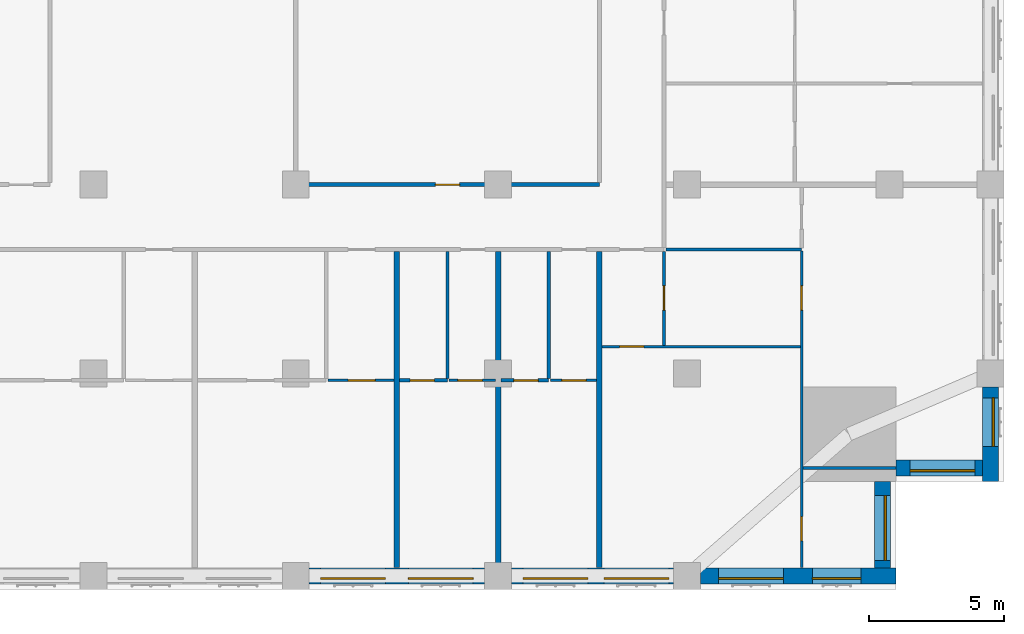
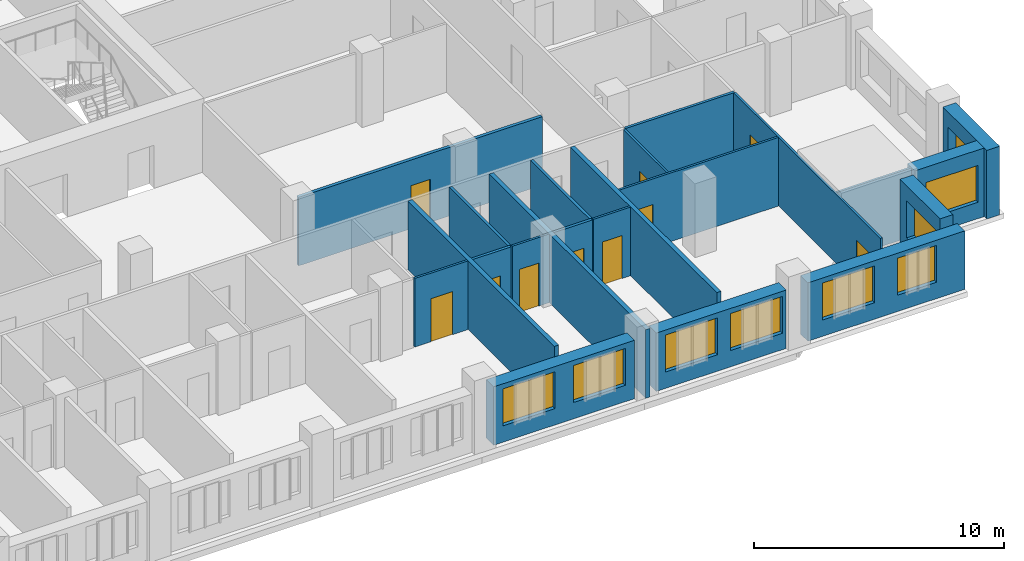
# One storey, part 6 of 14: 22 walls, 10 doors, 9 windows, 19 openings.
"""IFC4 building model written with IfcOpenShell, lengths in metres."""

from ifc_helpers import new_model, si_unit, direction, frame, frame_2d, origin, place, context, subcontext, project, spatial, rectangle, extrude, material, layer, layer_set, type_object, element, fill, save


model = new_model("IFC4")

# Units and contexts
model_context = context("Model", 3, precision=1e-05, world=origin(), true_north=direction((0.0, 1.0)))
body_context = subcontext(model_context, "Body", "Model", "MODEL_VIEW")
ifc_project = project(units=[si_unit("LENGTHUNIT", "METRE"), si_unit("AREAUNIT", "SQUARE_METRE"), si_unit("VOLUMEUNIT", "CUBIC_METRE"), si_unit("PLANEANGLEUNIT", "RADIAN"), si_unit("MASSUNIT", "GRAM", prefix="KILO")], contexts=[model_context])

# Site, building, storey
site_placement = place(None, origin())
site = spatial("IfcSite", under=ifc_project, at=site_placement, CompositionType="ELEMENT")
building_placement = place(site_placement, origin())
building = spatial("IfcBuilding", under=site, at=building_placement, Name="Tamorin Gate", CompositionType="ELEMENT")
storey_placement = place(building_placement, frame((0.0, 0.0, 141.0)))
storey = spatial("IfcBuildingStorey", under=building, at=storey_placement, Name="L34", CompositionType="ELEMENT", Elevation=141.0)

# Wall, openings, windows
ifc_material_1 = material(Name="Precast concrete C40/50", Category="concrete")
ifc_layer_1 = layer(ifc_material_1, 0.60009765625)
ifc_layer_set_1 = layer_set([ifc_layer_1], Name="Precast concrete C40/50")
wall_type_1 = type_object("IfcWallType", Name="Board-marked concrete facade panel 600", PredefinedType="SOLIDWALL", material=ifc_layer_set_1)
wall_1_placement = place(storey_placement, frame((60.5, 38.0, 0.0), z_axis=(0.0, 0.0, 1.0), x_axis=(1.0, 0.0, 0.0)))
wall_1 = element("IfcWall", 1, at=wall_1_placement, inside=storey, type_object=wall_type_1, Name="Facade panel", PredefinedType="SOLIDWALL", context=body_context, shape_type="SweptSolid", body=[
    extrude(rectangle(XDim=6.5, YDim=0.60009765625, at=frame_2d((3.25, 0.0))), origin(), (0.0, 0.0, 1.0), 2.85009765625),
])
opening_1_placement = place(wall_1_placement, frame((0.425048828125, 0.0, 0.800048828125)))
opening_1 = element("IfcOpeningElement", 2, at=opening_1_placement, cuts=wall_1, Name="Opening WN1", PredefinedType="OPENING", context=body_context, shape_type="SweptSolid", body=[
    extrude(rectangle(XDim=2.39990234375, YDim=1.800048828125, at=frame_2d((1.199951171875, 0.89990234375))), frame((0.0, 0.31005859375, 0.0), z_axis=(0.0, -1.0, 0.0), x_axis=(1.0, 0.0, 0.0)), (0.0, 0.0, 1.0), 0.6201171875),
])
opening_2_placement = place(wall_1_placement, frame((3.675048828125, 0.0, 0.800048828125)))
opening_2 = element("IfcOpeningElement", 3, at=opening_2_placement, cuts=wall_1, Name="Opening WN1", PredefinedType="OPENING", context=body_context, shape_type="SweptSolid", body=[
    extrude(rectangle(XDim=2.39990234375, YDim=1.800048828125, at=frame_2d((1.199951171875, 0.89990234375))), frame((0.0, 0.31005859375, 0.0), z_axis=(0.0, -1.0, 0.0), x_axis=(1.0, 0.0, 0.0)), (0.0, 0.0, 1.0), 0.6201171875),
])
ifc_material_2 = material(Name="Clear glass in aluminium frame", Category="aluminium")
window_type_1 = type_object("IfcWindowType", Name="Deep-set window 2400x1800", PartitioningType="SINGLE_PANEL", PredefinedType="WINDOW", material=ifc_material_2)
window_1_placement = place(opening_1_placement, origin())
window_1 = element("IfcWindow", 4, at=window_1_placement, inside=storey, type_object=window_type_1, Name="Deep-set window", OverallHeight=1.800048828125, OverallWidth=2.39990234375, PartitioningType="SINGLE_PANEL", PredefinedType="WINDOW", context=body_context, shape_type="SweptSolid", body=[
    extrude(rectangle(XDim=2.39990234375, YDim=1.800048828125, at=frame_2d((1.199951171875, 0.89990234375))), frame((0.0, -0.070068359375, 0.0), z_axis=(0.0, -1.0, 0.0), x_axis=(1.0, 0.0, 0.0)), (0.0, 0.0, 1.0), 0.06005859375),
])
fill(opening_1, window_1)
window_2_placement = place(opening_2_placement, origin())
window_2 = element("IfcWindow", 5, at=window_2_placement, inside=storey, type_object=window_type_1, Name="Deep-set window", OverallHeight=1.800048828125, OverallWidth=2.39990234375, PartitioningType="SINGLE_PANEL", PredefinedType="WINDOW", context=body_context, shape_type="SweptSolid", body=[
    extrude(rectangle(XDim=2.39990234375, YDim=1.800048828125, at=frame_2d((1.199951171875, 0.89990234375))), frame((0.0, -0.070068359375, 0.0), z_axis=(0.0, -1.0, 0.0), x_axis=(1.0, 0.0, 0.0)), (0.0, 0.0, 1.0), 0.06005859375),
])
fill(opening_2, window_2)

wall_2_placement = place(storey_placement, frame((68.0, 38.0, 0.0), z_axis=(0.0, 0.0, 1.0), x_axis=(1.0, 0.0, 0.0)))
wall_2 = element("IfcWall", 6, at=wall_2_placement, inside=storey, type_object=wall_type_1, Name="Facade panel", PredefinedType="SOLIDWALL", context=body_context, shape_type="SweptSolid", body=[
    extrude(rectangle(XDim=6.0, YDim=0.60009765625, at=frame_2d((3.0, 0.0))), origin(), (0.0, 0.0, 1.0), 2.85009765625),
])
opening_3_placement = place(wall_2_placement, frame((0.425048828125, 0.0, 0.800048828125)))
opening_3 = element("IfcOpeningElement", 7, at=opening_3_placement, cuts=wall_2, Name="Opening WN1", PredefinedType="OPENING", context=body_context, shape_type="SweptSolid", body=[
    extrude(rectangle(XDim=2.39990234375, YDim=1.800048828125, at=frame_2d((1.199951171875, 0.89990234375))), frame((0.0, 0.31005859375, 0.0), z_axis=(0.0, -1.0, 0.0), x_axis=(1.0, 0.0, 0.0)), (0.0, 0.0, 1.0), 0.6201171875),
])
opening_4_placement = place(wall_2_placement, frame((3.425048828125, 0.0, 0.800048828125)))
opening_4 = element("IfcOpeningElement", 8, at=opening_4_placement, cuts=wall_2, Name="Opening WN1", PredefinedType="OPENING", context=body_context, shape_type="SweptSolid", body=[
    extrude(rectangle(XDim=2.39990234375, YDim=1.800048828125, at=frame_2d((1.199951171875, 0.89990234375))), frame((0.0, 0.31005859375, 0.0), z_axis=(0.0, -1.0, 0.0), x_axis=(1.0, 0.0, 0.0)), (0.0, 0.0, 1.0), 0.6201171875),
])
window_3_placement = place(opening_3_placement, origin())
window_3 = element("IfcWindow", 9, at=window_3_placement, inside=storey, type_object=window_type_1, Name="Deep-set window", OverallHeight=1.800048828125, OverallWidth=2.39990234375, PartitioningType="SINGLE_PANEL", PredefinedType="WINDOW", context=body_context, shape_type="SweptSolid", body=[
    extrude(rectangle(XDim=2.39990234375, YDim=1.800048828125, at=frame_2d((1.199951171875, 0.89990234375))), frame((0.0, -0.070068359375, 0.0), z_axis=(0.0, -1.0, 0.0), x_axis=(1.0, 0.0, 0.0)), (0.0, 0.0, 1.0), 0.06005859375),
])
fill(opening_3, window_3)
window_4_placement = place(opening_4_placement, origin())
window_4 = element("IfcWindow", 10, at=window_4_placement, inside=storey, type_object=window_type_1, Name="Deep-set window", OverallHeight=1.800048828125, OverallWidth=2.39990234375, PartitioningType="SINGLE_PANEL", PredefinedType="WINDOW", context=body_context, shape_type="SweptSolid", body=[
    extrude(rectangle(XDim=2.39990234375, YDim=1.800048828125, at=frame_2d((1.199951171875, 0.89990234375))), frame((0.0, -0.070068359375, 0.0), z_axis=(0.0, -1.0, 0.0), x_axis=(1.0, 0.0, 0.0)), (0.0, 0.0, 1.0), 0.06005859375),
])
fill(opening_4, window_4)

wall_3_placement = place(storey_placement, frame((75.0, 38.0, 0.0), z_axis=(0.0, 0.0, 1.0), x_axis=(1.0, 0.0, 0.0)))
wall_3 = element("IfcWall", 11, at=wall_3_placement, inside=storey, type_object=wall_type_1, Name="Facade panel", PredefinedType="SOLIDWALL", context=body_context, shape_type="SweptSolid", body=[
    extrude(rectangle(XDim=7.25, YDim=0.60009765625, at=frame_2d((3.625, 0.0))), origin(), (0.0, 0.0, 1.0), 2.85009765625),
])
opening_5_placement = place(wall_3_placement, frame((0.675048828125, 0.0, 0.800048828125)))
opening_5 = element("IfcOpeningElement", 12, at=opening_5_placement, cuts=wall_3, Name="Opening WN1", PredefinedType="OPENING", context=body_context, shape_type="SweptSolid", body=[
    extrude(rectangle(XDim=2.39990234375, YDim=1.800048828125, at=frame_2d((1.199951171875, 0.89990234375))), frame((0.0, 0.31005859375, 0.0), z_axis=(0.0, -1.0, 0.0), x_axis=(1.0, 0.0, 0.0)), (0.0, 0.0, 1.0), 0.6201171875),
])
opening_6_placement = place(wall_3_placement, frame((4.14990234375, 0.0, 0.800048828125)))
opening_6 = element("IfcOpeningElement", 13, at=opening_6_placement, cuts=wall_3, Name="Opening WN2", PredefinedType="OPENING", context=body_context, shape_type="SweptSolid", body=[
    extrude(rectangle(XDim=1.800048828125, YDim=1.800048828125, at=frame_2d((0.89990234375, 0.89990234375))), frame((0.0, 0.31005859375, 0.0), z_axis=(0.0, -1.0, 0.0), x_axis=(1.0, 0.0, 0.0)), (0.0, 0.0, 1.0), 0.6201171875),
])
window_type_2 = type_object("IfcWindowType", Name="Deep-set window 1800x1800", PartitioningType="SINGLE_PANEL", PredefinedType="WINDOW", material=ifc_material_2)
window_5_placement = place(opening_6_placement, origin())
window_5 = element("IfcWindow", 14, at=window_5_placement, inside=storey, type_object=window_type_2, Name="Deep-set window", OverallHeight=1.800048828125, OverallWidth=1.800048828125, PartitioningType="SINGLE_PANEL", PredefinedType="WINDOW", context=body_context, shape_type="SweptSolid", body=[
    extrude(rectangle(XDim=1.800048828125, YDim=1.800048828125, at=frame_2d((0.89990234375, 0.89990234375))), frame((0.0, -0.070068359375, 0.0), z_axis=(0.0, -1.0, 0.0), x_axis=(1.0, 0.0, 0.0)), (0.0, 0.0, 1.0), 0.06005859375),
])
fill(opening_6, window_5)
window_6_placement = place(opening_5_placement, origin())
window_6 = element("IfcWindow", 15, at=window_6_placement, inside=storey, type_object=window_type_1, Name="Deep-set window", OverallHeight=1.800048828125, OverallWidth=2.39990234375, PartitioningType="SINGLE_PANEL", PredefinedType="WINDOW", context=body_context, shape_type="SweptSolid", body=[
    extrude(rectangle(XDim=2.39990234375, YDim=1.800048828125, at=frame_2d((1.199951171875, 0.89990234375))), frame((0.0, -0.070068359375, 0.0), z_axis=(0.0, -1.0, 0.0), x_axis=(1.0, 0.0, 0.0)), (0.0, 0.0, 1.0), 0.06005859375),
])
fill(opening_5, window_6)

# Wall, opening, window
wall_4_placement = place(storey_placement, frame((81.75, 38.300048828125, 0.0), z_axis=(0.0, 0.0, 1.0), x_axis=(0.0, 1.0, 0.0)))
wall_4 = element("IfcWall", 16, at=wall_4_placement, inside=storey, type_object=wall_type_1, Name="Facade panel", PredefinedType="SOLIDWALL", context=body_context, shape_type="SweptSolid", body=[
    extrude(rectangle(XDim=3.199951171875, YDim=0.60009765625, at=frame_2d((1.60009765625, 0.0))), origin(), (0.0, 0.0, 1.0), 3.35009765625),
])
opening_7_placement = place(wall_4_placement, frame((0.27490234375, 0.0, 0.800048828125)))
opening_7 = element("IfcOpeningElement", 17, at=opening_7_placement, cuts=wall_4, Name="Opening WN1", PredefinedType="OPENING", context=body_context, shape_type="SweptSolid", body=[
    extrude(rectangle(XDim=2.39990234375, YDim=1.800048828125, at=frame_2d((1.199951171875, 0.89990234375))), frame((0.0, 0.31005859375, 0.0), z_axis=(0.0, -1.0, 0.0), x_axis=(1.0, 0.0, 0.0)), (0.0, 0.0, 1.0), 0.6201171875),
])
window_7_placement = place(opening_7_placement, origin())
window_7 = element("IfcWindow", 18, at=window_7_placement, inside=storey, type_object=window_type_1, Name="Deep-set window", OverallHeight=1.800048828125, OverallWidth=2.39990234375, PartitioningType="SINGLE_PANEL", PredefinedType="WINDOW", context=body_context, shape_type="SweptSolid", body=[
    extrude(rectangle(XDim=2.39990234375, YDim=1.800048828125, at=frame_2d((1.199951171875, 0.89990234375))), frame((0.0, -0.070068359375, 0.0), z_axis=(0.0, -1.0, 0.0), x_axis=(1.0, 0.0, 0.0)), (0.0, 0.0, 1.0), 0.06005859375),
])
fill(opening_7, window_7)

wall_5_placement = place(storey_placement, frame((82.25, 42.0, 0.0), z_axis=(0.0, 0.0, 1.0), x_axis=(1.0, 0.0, 0.0)))
wall_5 = element("IfcWall", 19, at=wall_5_placement, inside=storey, type_object=wall_type_1, Name="Facade panel", PredefinedType="SOLIDWALL", context=body_context, shape_type="SweptSolid", body=[
    extrude(rectangle(XDim=3.199951171875, YDim=0.60009765625, at=frame_2d((1.60009765625, 0.0))), origin(), (0.0, 0.0, 1.0), 3.35009765625),
])
opening_8_placement = place(wall_5_placement, frame((0.52490234375, 0.0, 0.800048828125)))
opening_8 = element("IfcOpeningElement", 20, at=opening_8_placement, cuts=wall_5, Name="Opening WN1", PredefinedType="OPENING", context=body_context, shape_type="SweptSolid", body=[
    extrude(rectangle(XDim=2.39990234375, YDim=1.800048828125, at=frame_2d((1.199951171875, 0.89990234375))), frame((0.0, 0.31005859375, 0.0), z_axis=(0.0, -1.0, 0.0), x_axis=(1.0, 0.0, 0.0)), (0.0, 0.0, 1.0), 0.6201171875),
])
window_8_placement = place(opening_8_placement, origin())
window_8 = element("IfcWindow", 21, at=window_8_placement, inside=storey, type_object=window_type_1, Name="Deep-set window", OverallHeight=1.800048828125, OverallWidth=2.39990234375, PartitioningType="SINGLE_PANEL", PredefinedType="WINDOW", context=body_context, shape_type="SweptSolid", body=[
    extrude(rectangle(XDim=2.39990234375, YDim=1.800048828125, at=frame_2d((1.199951171875, 0.89990234375))), frame((0.0, -0.070068359375, 0.0), z_axis=(0.0, -1.0, 0.0), x_axis=(1.0, 0.0, 0.0)), (0.0, 0.0, 1.0), 0.06005859375),
])
fill(opening_8, window_8)

wall_6_placement = place(storey_placement, frame((85.75, 41.5, 0.0), z_axis=(0.0, 0.0, 1.0), x_axis=(0.0, 1.0, 0.0)))
wall_6 = element("IfcWall", 22, at=wall_6_placement, inside=storey, type_object=wall_type_1, Name="Facade panel", PredefinedType="SOLIDWALL", context=body_context, shape_type="SweptSolid", body=[
    extrude(rectangle(XDim=3.5, YDim=0.60009765625, at=frame_2d((1.75, 0.0))), origin(), (0.0, 0.0, 1.0), 3.35009765625),
])
opening_9_placement = place(wall_6_placement, frame((1.300048828125, 0.0, 0.800048828125)))
opening_9 = element("IfcOpeningElement", 23, at=opening_9_placement, cuts=wall_6, Name="Opening WN2", PredefinedType="OPENING", context=body_context, shape_type="SweptSolid", body=[
    extrude(rectangle(XDim=1.800048828125, YDim=1.800048828125, at=frame_2d((0.89990234375, 0.89990234375))), frame((0.0, 0.31005859375, 0.0), z_axis=(0.0, -1.0, 0.0), x_axis=(1.0, 0.0, 0.0)), (0.0, 0.0, 1.0), 0.6201171875),
])
window_9_placement = place(opening_9_placement, origin())
window_9 = element("IfcWindow", 24, at=window_9_placement, inside=storey, type_object=window_type_2, Name="Deep-set window", OverallHeight=1.800048828125, OverallWidth=1.800048828125, PartitioningType="SINGLE_PANEL", PredefinedType="WINDOW", context=body_context, shape_type="SweptSolid", body=[
    extrude(rectangle(XDim=1.800048828125, YDim=1.800048828125, at=frame_2d((0.89990234375, 0.89990234375))), frame((0.0, -0.070068359375, 0.0), z_axis=(0.0, -1.0, 0.0), x_axis=(1.0, 0.0, 0.0)), (0.0, 0.0, 1.0), 0.06005859375),
])
fill(opening_9, window_9)

# Wall, opening, door
ifc_material_3 = material(Name="Gypsum board partition")
ifc_layer_2 = layer(ifc_material_3, 0.14990234375)
ifc_layer_set_2 = layer_set([ifc_layer_2], Name="Corridor wall 150")
wall_type_2 = type_object("IfcWallType", Name="Corridor wall 150", PredefinedType="PARTITIONING", material=ifc_layer_set_2)
wall_7_placement = place(storey_placement, frame((60.0, 52.5, 0.0), z_axis=(0.0, 0.0, 1.0), x_axis=(1.0, 0.0, 0.0)))
wall_7 = element("IfcWall", 25, at=wall_7_placement, inside=storey, type_object=wall_type_2, Name="Corridor wall 150", PredefinedType="PARTITIONING", context=body_context, shape_type="SweptSolid", body=[
    extrude(rectangle(XDim=11.25, YDim=0.14990234375, at=frame_2d((5.625, 0.0))), origin(), (0.0, 0.0, 1.0), 3.35009765625),
])
opening_10_placement = place(wall_7_placement, frame((5.175048828125, 0.0, 0.0)))
opening_10 = element("IfcOpeningElement", 26, at=opening_10_placement, cuts=wall_7, Name="Opening DS4074", PredefinedType="OPENING", context=body_context, shape_type="SweptSolid", body=[
    extrude(rectangle(XDim=0.89990234375, YDim=2.10009765625, at=frame_2d((0.449951171875, 1.050048828125))), frame((0.0, 0.0849609375, 0.0), z_axis=(0.0, -1.0, 0.0), x_axis=(1.0, 0.0, 0.0)), (0.0, 0.0, 1.0), 0.169921875),
])
ifc_material_4 = material(Name="Timber door leaf", Category="wood")
door_type_1 = type_object("IfcDoorType", Name="Door 900 x 2100 FD30S", OperationType="NOTDEFINED", PredefinedType="DOOR", material=ifc_material_4)
door_1_placement = place(opening_10_placement, origin())
door_1 = element("IfcDoor", 27, at=door_1_placement, inside=storey, type_object=door_type_1, Name="Door DS4074", OperationType="SINGLE_SWING_LEFT", OverallHeight=2.10009765625, OverallWidth=0.89990234375, PredefinedType="DOOR", context=body_context, shape_type="SweptSolid", body=[
    extrude(rectangle(XDim=0.89990234375, YDim=2.10009765625, at=frame_2d((0.449951171875, 1.050048828125))), frame((0.0, 0.02490234375, 0.0), z_axis=(0.0, -1.0, 0.0), x_axis=(1.0, 0.0, 0.0)), (0.0, 0.0, 1.0), 0.050048828125),
])
fill(opening_10, door_1)

# Walls
ifc_layer_3 = layer(ifc_material_3, 0.199951171875)
ifc_layer_set_3 = layer_set([ifc_layer_3], Name="Demising wall 200")
wall_type_3 = type_object("IfcWallType", Name="Demising wall 200", PredefinedType="PARTITIONING", material=ifc_layer_set_3)
wall_8_placement = place(storey_placement, frame((63.75, 38.31005859375, 0.0), z_axis=(0.0, 0.0, 1.0), x_axis=(0.0, 1.0, 0.0)))
element("IfcWall", 28, at=wall_8_placement, inside=storey, type_object=wall_type_3, Name="Demising wall 200", PredefinedType="PARTITIONING", context=body_context, shape_type="SweptSolid", body=[
    extrude(rectangle(XDim=11.71484375, YDim=0.199951171875, at=frame_2d((5.857421875, 0.0))), origin(), (0.0, 0.0, 1.0), 3.35009765625),
])
wall_9_placement = place(storey_placement, frame((67.5, 37.5, 0.0), z_axis=(0.0, 0.0, 1.0), x_axis=(0.0, 1.0, 0.0)))
element("IfcWall", 29, at=wall_9_placement, inside=storey, type_object=wall_type_3, Name="Demising wall 200", PredefinedType="PARTITIONING", context=body_context, shape_type="SweptSolid", body=[
    extrude(rectangle(XDim=12.52490234375, YDim=0.199951171875, at=frame_2d((6.262451171875, 0.0))), origin(), (0.0, 0.0, 1.0), 3.35009765625),
])
wall_10_placement = place(storey_placement, frame((71.25, 38.31005859375, 0.0), z_axis=(0.0, 0.0, 1.0), x_axis=(0.0, 1.0, 0.0)))
element("IfcWall", 30, at=wall_10_placement, inside=storey, type_object=wall_type_3, Name="Demising wall 200", PredefinedType="PARTITIONING", context=body_context, shape_type="SweptSolid", body=[
    extrude(rectangle(XDim=11.71484375, YDim=0.199951171875, at=frame_2d((5.857421875, 0.0))), origin(), (0.0, 0.0, 1.0), 3.35009765625),
])
ifc_layer_4 = layer(ifc_material_3, 0.10009765625)
ifc_layer_set_4 = layer_set([ifc_layer_4], Name="Room partition 100")
wall_type_4 = type_object("IfcWallType", Name="Room partition 100", PredefinedType="PARTITIONING", material=ifc_layer_set_4)
wall_11_placement = place(storey_placement, frame((78.800048828125, 42.0, 0.0), z_axis=(0.0, 0.0, 1.0), x_axis=(1.0, 0.0, 0.0)))
element("IfcWall", 31, at=wall_11_placement, inside=storey, type_object=wall_type_4, Name="Room partition 100", PredefinedType="PARTITIONING", context=body_context, shape_type="SweptSolid", body=[
    extrude(rectangle(XDim=3.43994140625, YDim=0.10009765625, at=frame_2d((1.719970703125, 0.0))), origin(), (0.0, 0.0, 1.0), 3.35009765625),
])

# Wall, opening, door
wall_12_placement = place(storey_placement, frame((61.1875, 45.25, 0.0), z_axis=(0.0, 0.0, 1.0), x_axis=(1.0, 0.0, 0.0)))
wall_12 = element("IfcWall", 32, at=wall_12_placement, inside=storey, type_object=wall_type_4, Name="Room partition 100", PredefinedType="PARTITIONING", context=body_context, shape_type="SweptSolid", body=[
    extrude(rectangle(XDim=2.46240234375, YDim=0.10009765625, at=frame_2d((1.231201171875, 0.0))), origin(), (0.0, 0.0, 1.0), 3.35009765625),
])
opening_11_placement = place(wall_12_placement, frame((0.75, 0.0, 0.0)))
opening_11 = element("IfcOpeningElement", 33, at=opening_11_placement, cuts=wall_12, Name="Opening DS4016", PredefinedType="OPENING", context=body_context, shape_type="SweptSolid", body=[
    extrude(rectangle(XDim=1.0, YDim=2.10009765625, at=frame_2d((0.5, 1.050048828125))), frame((0.0, 0.06005859375, 0.0), z_axis=(0.0, -1.0, 0.0), x_axis=(1.0, 0.0, 0.0)), (0.0, 0.0, 1.0), 0.1201171875),
])
door_type_2 = type_object("IfcDoorType", Name="Door 1000 x 2100", OperationType="NOTDEFINED", PredefinedType="DOOR", material=ifc_material_4)
door_2_placement = place(opening_11_placement, origin())
door_2 = element("IfcDoor", 34, at=door_2_placement, inside=storey, type_object=door_type_2, Name="Door DS4016", OperationType="SINGLE_SWING_LEFT", OverallHeight=2.10009765625, OverallWidth=1.0, PredefinedType="DOOR", context=body_context, shape_type="SweptSolid", body=[
    extrude(rectangle(XDim=1.0, YDim=2.10009765625, at=frame_2d((0.5, 1.050048828125))), frame((0.0, 0.02490234375, 0.0), z_axis=(0.0, -1.0, 0.0), x_axis=(1.0, 0.0, 0.0)), (0.0, 0.0, 1.0), 0.050048828125),
])
fill(opening_11, door_2)

wall_13_placement = place(storey_placement, frame((65.6875, 45.25, 0.0), z_axis=(0.0, 0.0, 1.0), x_axis=(1.0, 0.0, 0.0)))
wall_13 = element("IfcWall", 35, at=wall_13_placement, inside=storey, type_object=wall_type_4, Name="Room partition 100", PredefinedType="PARTITIONING", context=body_context, shape_type="SweptSolid", body=[
    extrude(rectangle(XDim=1.71240234375, YDim=0.10009765625, at=frame_2d((0.856201171875, 0.0))), origin(), (0.0, 0.0, 1.0), 3.35009765625),
])
opening_12_placement = place(wall_13_placement, frame((0.324951171875, 0.0, 0.0)))
opening_12 = element("IfcOpeningElement", 36, at=opening_12_placement, cuts=wall_13, Name="Opening DS4019", PredefinedType="OPENING", context=body_context, shape_type="SweptSolid", body=[
    extrude(rectangle(XDim=0.89990234375, YDim=2.10009765625, at=frame_2d((0.449951171875, 1.050048828125))), frame((0.0, 0.06005859375, 0.0), z_axis=(0.0, -1.0, 0.0), x_axis=(1.0, 0.0, 0.0)), (0.0, 0.0, 1.0), 0.1201171875),
])
door_type_3 = type_object("IfcDoorType", Name="Door 900 x 2100", OperationType="NOTDEFINED", PredefinedType="DOOR", material=ifc_material_4)
door_3_placement = place(opening_12_placement, origin())
door_3 = element("IfcDoor", 37, at=door_3_placement, inside=storey, type_object=door_type_3, Name="Door DS4019", OperationType="SINGLE_SWING_LEFT", OverallHeight=2.10009765625, OverallWidth=0.89990234375, PredefinedType="DOOR", context=body_context, shape_type="SweptSolid", body=[
    extrude(rectangle(XDim=0.89990234375, YDim=2.10009765625, at=frame_2d((0.449951171875, 1.050048828125))), frame((0.0, 0.02490234375, 0.0), z_axis=(0.0, -1.0, 0.0), x_axis=(1.0, 0.0, 0.0)), (0.0, 0.0, 1.0), 0.050048828125),
])
fill(opening_12, door_3)

wall_14_placement = place(storey_placement, frame((69.4375, 45.25, 0.0), z_axis=(0.0, 0.0, 1.0), x_axis=(1.0, 0.0, 0.0)))
wall_14 = element("IfcWall", 38, at=wall_14_placement, inside=storey, type_object=wall_type_4, Name="Room partition 100", PredefinedType="PARTITIONING", context=body_context, shape_type="SweptSolid", body=[
    extrude(rectangle(XDim=1.71240234375, YDim=0.10009765625, at=frame_2d((0.856201171875, 0.0))), origin(), (0.0, 0.0, 1.0), 3.35009765625),
])
opening_13_placement = place(wall_14_placement, frame((0.425048828125, 0.0, 0.0)))
opening_13 = element("IfcOpeningElement", 39, at=opening_13_placement, cuts=wall_14, Name="Opening DS4022", PredefinedType="OPENING", context=body_context, shape_type="SweptSolid", body=[
    extrude(rectangle(XDim=0.89990234375, YDim=2.10009765625, at=frame_2d((0.449951171875, 1.050048828125))), frame((0.0, 0.06005859375, 0.0), z_axis=(0.0, -1.0, 0.0), x_axis=(1.0, 0.0, 0.0)), (0.0, 0.0, 1.0), 0.1201171875),
])
door_4_placement = place(opening_13_placement, origin())
door_4 = element("IfcDoor", 40, at=door_4_placement, inside=storey, type_object=door_type_3, Name="Door DS4022", OperationType="SINGLE_SWING_LEFT", OverallHeight=2.10009765625, OverallWidth=0.89990234375, PredefinedType="DOOR", context=body_context, shape_type="SweptSolid", body=[
    extrude(rectangle(XDim=0.89990234375, YDim=2.10009765625, at=frame_2d((0.449951171875, 1.050048828125))), frame((0.0, 0.02490234375, 0.0), z_axis=(0.0, -1.0, 0.0), x_axis=(1.0, 0.0, 0.0)), (0.0, 0.0, 1.0), 0.050048828125),
])
fill(opening_13, door_4)

wall_15_placement = place(storey_placement, frame((71.35009765625, 46.5, 0.0), z_axis=(0.0, 0.0, 1.0), x_axis=(1.0, 0.0, 0.0)))
wall_15 = element("IfcWall", 41, at=wall_15_placement, inside=storey, type_object=wall_type_4, Name="Room partition 100", PredefinedType="PARTITIONING", context=body_context, shape_type="SweptSolid", body=[
    extrude(rectangle(XDim=7.349853515625, YDim=0.10009765625, at=frame_2d((3.6748046875, 0.0))), origin(), (0.0, 0.0, 1.0), 3.35009765625),
])
opening_14_placement = place(wall_15_placement, frame((0.64990234375, 0.0, 0.0)))
opening_14 = element("IfcOpeningElement", 42, at=opening_14_placement, cuts=wall_15, Name="Opening DS4060", PredefinedType="OPENING", context=body_context, shape_type="SweptSolid", body=[
    extrude(rectangle(XDim=0.89990234375, YDim=2.10009765625, at=frame_2d((0.449951171875, 1.050048828125))), frame((0.0, 0.06005859375, 0.0), z_axis=(0.0, -1.0, 0.0), x_axis=(1.0, 0.0, 0.0)), (0.0, 0.0, 1.0), 0.1201171875),
])
door_5_placement = place(opening_14_placement, origin())
door_5 = element("IfcDoor", 43, at=door_5_placement, inside=storey, type_object=door_type_3, Name="Door DS4060", OperationType="SINGLE_SWING_RIGHT", OverallHeight=2.10009765625, OverallWidth=0.89990234375, PredefinedType="DOOR", context=body_context, shape_type="SweptSolid", body=[
    extrude(rectangle(XDim=0.89990234375, YDim=2.10009765625, at=frame_2d((0.449951171875, 1.050048828125))), frame((0.0, 0.02490234375, 0.0), z_axis=(0.0, -1.0, 0.0), x_axis=(1.0, 0.0, 0.0)), (0.0, 0.0, 1.0), 0.050048828125),
])
fill(opening_14, door_5)

wall_16_placement = place(storey_placement, frame((73.64990234375, 46.550048828125, 0.0), z_axis=(0.0, 0.0, 1.0), x_axis=(0.0, 1.0, 0.0)))
wall_16 = element("IfcWall", 44, at=wall_16_placement, inside=storey, type_object=wall_type_4, Name="Room partition 100", PredefinedType="PARTITIONING", context=body_context, shape_type="SweptSolid", body=[
    extrude(rectangle(XDim=3.474853515625, YDim=0.10009765625, at=frame_2d((1.7373046875, 0.0))), origin(), (0.0, 0.0, 1.0), 3.35009765625),
])
opening_15_placement = place(wall_16_placement, frame((1.300048828125, 0.0, 0.0)))
opening_15 = element("IfcOpeningElement", 45, at=opening_15_placement, cuts=wall_16, Name="Opening DS4061", PredefinedType="OPENING", context=body_context, shape_type="SweptSolid", body=[
    extrude(rectangle(XDim=0.89990234375, YDim=2.10009765625, at=frame_2d((0.449951171875, 1.050048828125))), frame((0.0, 0.06005859375, 0.0), z_axis=(0.0, -1.0, 0.0), x_axis=(1.0, 0.0, 0.0)), (0.0, 0.0, 1.0), 0.1201171875),
])
door_6_placement = place(opening_15_placement, origin())
door_6 = element("IfcDoor", 46, at=door_6_placement, inside=storey, type_object=door_type_3, Name="Door DS4061", OperationType="SINGLE_SWING_RIGHT", OverallHeight=2.10009765625, OverallWidth=0.89990234375, PredefinedType="DOOR", context=body_context, shape_type="SweptSolid", body=[
    extrude(rectangle(XDim=0.89990234375, YDim=2.10009765625, at=frame_2d((0.449951171875, 1.050048828125))), frame((0.0, 0.02490234375, 0.0), z_axis=(0.0, -1.0, 0.0), x_axis=(1.0, 0.0, 0.0)), (0.0, 0.0, 1.0), 0.050048828125),
])
fill(opening_15, door_6)

# Wall, openings, doors
wall_17_placement = place(storey_placement, frame((78.75, 38.31005859375, 0.0), z_axis=(0.0, 0.0, 1.0), x_axis=(0.0, 1.0, 0.0)))
wall_17 = element("IfcWall", 47, at=wall_17_placement, inside=storey, type_object=wall_type_4, Name="Room partition 100", PredefinedType="PARTITIONING", context=body_context, shape_type="SweptSolid", body=[
    extrude(rectangle(XDim=11.7275390625, YDim=0.10009765625, at=frame_2d((5.86376953125, 0.0))), origin(), (0.0, 0.0, 1.0), 3.35009765625),
])
opening_16_placement = place(wall_17_placement, frame((0.989990234375, 0.0, 0.0)))
opening_16 = element("IfcOpeningElement", 48, at=opening_16_placement, cuts=wall_17, Name="Opening DS4062", PredefinedType="OPENING", context=body_context, shape_type="SweptSolid", body=[
    extrude(rectangle(XDim=0.89990234375, YDim=2.10009765625, at=frame_2d((0.449951171875, 1.050048828125))), frame((0.0, 0.06005859375, 0.0), z_axis=(0.0, -1.0, 0.0), x_axis=(1.0, 0.0, 0.0)), (0.0, 0.0, 1.0), 0.1201171875),
])
opening_17_placement = place(wall_17_placement, frame((9.5400390625, 0.0, 0.0)))
opening_17 = element("IfcOpeningElement", 49, at=opening_17_placement, cuts=wall_17, Name="Opening DS4063", PredefinedType="OPENING", context=body_context, shape_type="SweptSolid", body=[
    extrude(rectangle(XDim=0.89990234375, YDim=2.10009765625, at=frame_2d((0.449951171875, 1.050048828125))), frame((0.0, 0.06005859375, 0.0), z_axis=(0.0, -1.0, 0.0), x_axis=(1.0, 0.0, 0.0)), (0.0, 0.0, 1.0), 0.1201171875),
])
door_7_placement = place(opening_16_placement, origin())
door_7 = element("IfcDoor", 50, at=door_7_placement, inside=storey, type_object=door_type_3, Name="Door DS4062", OperationType="SINGLE_SWING_LEFT", OverallHeight=2.10009765625, OverallWidth=0.89990234375, PredefinedType="DOOR", context=body_context, shape_type="SweptSolid", body=[
    extrude(rectangle(XDim=0.89990234375, YDim=2.10009765625, at=frame_2d((0.449951171875, 1.050048828125))), frame((0.0, 0.02490234375, 0.0), z_axis=(0.0, -1.0, 0.0), x_axis=(1.0, 0.0, 0.0)), (0.0, 0.0, 1.0), 0.050048828125),
])
fill(opening_16, door_7)
door_8_placement = place(opening_17_placement, origin())
door_8 = element("IfcDoor", 51, at=door_8_placement, inside=storey, type_object=door_type_3, Name="Door DS4063", OperationType="SINGLE_SWING_RIGHT", OverallHeight=2.10009765625, OverallWidth=0.89990234375, PredefinedType="DOOR", context=body_context, shape_type="SweptSolid", body=[
    extrude(rectangle(XDim=0.89990234375, YDim=2.10009765625, at=frame_2d((0.449951171875, 1.050048828125))), frame((0.0, 0.02490234375, 0.0), z_axis=(0.0, -1.0, 0.0), x_axis=(1.0, 0.0, 0.0)), (0.0, 0.0, 1.0), 0.050048828125),
])
fill(opening_17, door_8)

# Wall, opening, door
ifc_layer_5 = layer(ifc_material_3, 0.125)
ifc_layer_set_5 = layer_set([ifc_layer_5], Name="Wet wall 125")
wall_type_5 = type_object("IfcWallType", Name="Wet wall 125", PredefinedType="PARTITIONING", material=ifc_layer_set_5)
wall_18_placement = place(storey_placement, frame((63.85009765625, 45.25, 0.0), z_axis=(0.0, 0.0, 1.0), x_axis=(1.0, 0.0, 0.0)))
wall_18 = element("IfcWall", 52, at=wall_18_placement, inside=storey, type_object=wall_type_5, Name="Wet wall 125", PredefinedType="PARTITIONING", context=body_context, shape_type="SweptSolid", body=[
    extrude(rectangle(XDim=1.77490234375, YDim=0.125, at=frame_2d((0.887451171875, 0.0))), origin(), (0.0, 0.0, 1.0), 3.35009765625),
])
opening_18_placement = place(wall_18_placement, frame((0.387451171875, 0.0, 0.0)))
opening_18 = element("IfcOpeningElement", 53, at=opening_18_placement, cuts=wall_18, Name="Opening DS4017", PredefinedType="OPENING", context=body_context, shape_type="SweptSolid", body=[
    extrude(rectangle(XDim=0.89990234375, YDim=2.10009765625, at=frame_2d((0.449951171875, 1.050048828125))), frame((0.0, 0.072509765625, 0.0), z_axis=(0.0, -1.0, 0.0), x_axis=(1.0, 0.0, 0.0)), (0.0, 0.0, 1.0), 0.14501953125),
])
door_9_placement = place(opening_18_placement, origin())
door_9 = element("IfcDoor", 54, at=door_9_placement, inside=storey, type_object=door_type_3, Name="Door DS4017", OperationType="SINGLE_SWING_LEFT", OverallHeight=2.10009765625, OverallWidth=0.89990234375, PredefinedType="DOOR", context=body_context, shape_type="SweptSolid", body=[
    extrude(rectangle(XDim=0.89990234375, YDim=2.10009765625, at=frame_2d((0.449951171875, 1.050048828125))), frame((0.0, 0.02490234375, 0.0), z_axis=(0.0, -1.0, 0.0), x_axis=(1.0, 0.0, 0.0)), (0.0, 0.0, 1.0), 0.050048828125),
])
fill(opening_18, door_9)

wall_19_placement = place(storey_placement, frame((67.60009765625, 45.25, 0.0), z_axis=(0.0, 0.0, 1.0), x_axis=(1.0, 0.0, 0.0)))
wall_19 = element("IfcWall", 55, at=wall_19_placement, inside=storey, type_object=wall_type_5, Name="Wet wall 125", PredefinedType="PARTITIONING", context=body_context, shape_type="SweptSolid", body=[
    extrude(rectangle(XDim=1.77490234375, YDim=0.125, at=frame_2d((0.887451171875, 0.0))), origin(), (0.0, 0.0, 1.0), 3.35009765625),
])
opening_19_placement = place(wall_19_placement, frame((0.487548828125, 0.0, 0.0)))
opening_19 = element("IfcOpeningElement", 56, at=opening_19_placement, cuts=wall_19, Name="Opening DS4020", PredefinedType="OPENING", context=body_context, shape_type="SweptSolid", body=[
    extrude(rectangle(XDim=0.89990234375, YDim=2.10009765625, at=frame_2d((0.449951171875, 1.050048828125))), frame((0.0, 0.072509765625, 0.0), z_axis=(0.0, -1.0, 0.0), x_axis=(1.0, 0.0, 0.0)), (0.0, 0.0, 1.0), 0.14501953125),
])
door_10_placement = place(opening_19_placement, origin())
door_10 = element("IfcDoor", 57, at=door_10_placement, inside=storey, type_object=door_type_3, Name="Door DS4020", OperationType="SINGLE_SWING_RIGHT", OverallHeight=2.10009765625, OverallWidth=0.89990234375, PredefinedType="DOOR", context=body_context, shape_type="SweptSolid", body=[
    extrude(rectangle(XDim=0.89990234375, YDim=2.10009765625, at=frame_2d((0.449951171875, 1.050048828125))), frame((0.0, 0.02490234375, 0.0), z_axis=(0.0, -1.0, 0.0), x_axis=(1.0, 0.0, 0.0)), (0.0, 0.0, 1.0), 0.050048828125),
])
fill(opening_19, door_10)

# Walls
wall_20_placement = place(storey_placement, frame((73.72509765625, 50.10009765625, 0.0), z_axis=(0.0, 0.0, 1.0), x_axis=(1.0, 0.0, 0.0)))
element("IfcWall", 58, at=wall_20_placement, inside=storey, type_object=wall_type_5, Name="Wet wall 125", PredefinedType="PARTITIONING", context=body_context, shape_type="SweptSolid", body=[
    extrude(rectangle(XDim=5.02490234375, YDim=0.125, at=frame_2d((2.512451171875, 0.0))), origin(), (0.0, 0.0, 1.0), 3.35009765625),
])
for number, where, z_axis, x_axis, name in (
    (59, (65.625, 45.3125, 0.0), (0.0, 0.0, 1.0), (0.0, 1.0, 0.0), "Wet wall 125"),
    (60, (69.375, 45.3125, 0.0), (0.0, 0.0, 1.0), (0.0, 1.0, 0.0), "Wet wall 125"),
):
    element("IfcWall", number, at=place(storey_placement, frame(where, z_axis=z_axis, x_axis=x_axis)), inside=storey, type_object=wall_type_5, Name=name, PredefinedType="PARTITIONING", context=body_context, shape_type="SweptSolid", body=[
        extrude(rectangle(XDim=4.71240234375, YDim=0.125, at=frame_2d((2.356201171875, 0.0))), origin(), (0.0, 0.0, 1.0), 3.35009765625),
    ])

save(model, "model.ifc")
